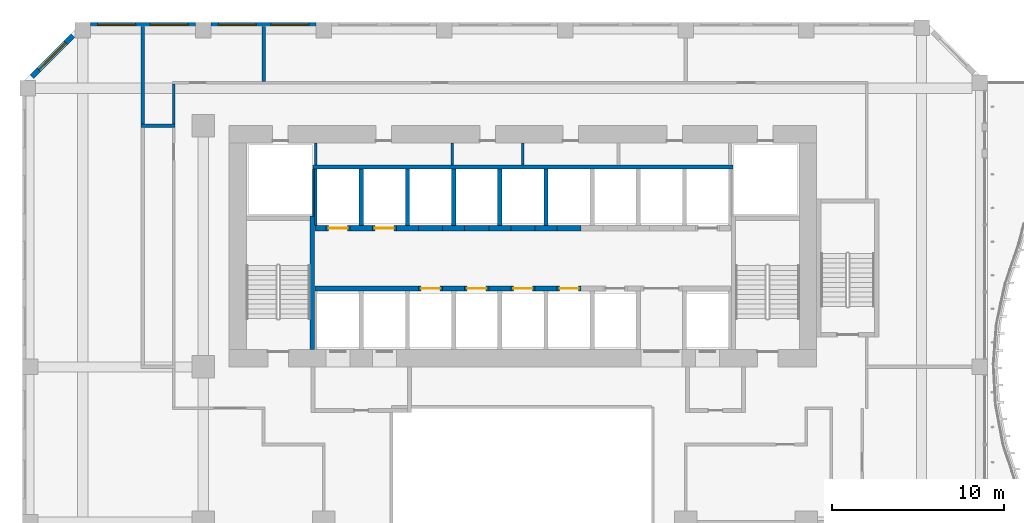
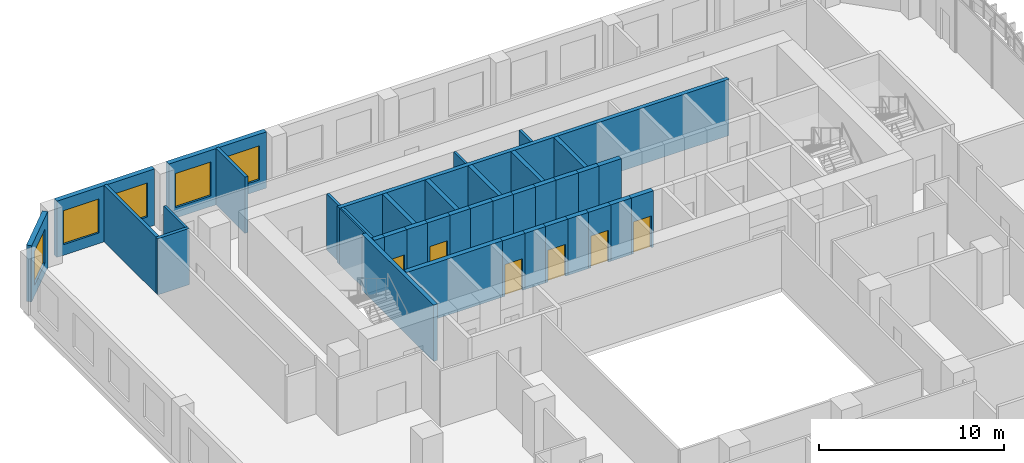
# One storey, part 15 of 26: 39 walls, 6 doors, 5 windows, 11 openings.
"""IFC4 building model written with IfcOpenShell, lengths in metres."""

from ifc_helpers import new_model, si_unit, direction, frame, frame_2d, origin, place, context, subcontext, project, spatial, rectangle, extrude, source, transform, mapped, material, layer, layer_set, type_object, element, fill, save


model = new_model("IFC4")

# Units and contexts
model_context = context("Model", 3, precision=1e-05, world=origin(), true_north=direction((0.0, 1.0)))
body_context = subcontext(model_context, "Body", "Model", "MODEL_VIEW")
ifc_project = project(units=[si_unit("LENGTHUNIT", "METRE"), si_unit("AREAUNIT", "SQUARE_METRE"), si_unit("VOLUMEUNIT", "CUBIC_METRE"), si_unit("PLANEANGLEUNIT", "RADIAN"), si_unit("MASSUNIT", "GRAM", prefix="KILO")], contexts=[model_context])

# Site, building, storey
site_placement = place(None, origin())
site = spatial("IfcSite", under=ifc_project, at=site_placement, CompositionType="ELEMENT")
building_placement = place(site_placement, origin())
building = spatial("IfcBuilding", under=site, at=building_placement, Name="Kilnfold Tower and Market Hall", CompositionType="ELEMENT")
storey_placement = place(building_placement, frame((0.0, 0.0, 31.0)))
storey = spatial("IfcBuildingStorey", under=building, at=storey_placement, Name="L06", CompositionType="ELEMENT", Elevation=31.0)

# Walls
ifc_material_1 = material(Name="Gypsum board on steel studs", Category="steel")
ifc_layer_1 = layer(ifc_material_1, 0.14990234375)
ifc_layer_set_1 = layer_set([ifc_layer_1], Name="Gypsum board on steel studs")
wall_type_1 = type_object("IfcWallType", Name="WALL CORRIDOR 150", PredefinedType="PARTITIONING", material=ifc_layer_set_1)
wall_1_placement = place(storey_placement, frame((-19.199951171875, 22.090087890625, 0.0), z_axis=(0.0, 0.0, 1.0), x_axis=(0.0, 1.0, 0.0)))
element("IfcWall", 1, at=wall_1_placement, inside=storey, type_object=wall_type_1, Name="Partition LY06.32", PredefinedType="PARTITIONING", context=body_context, shape_type="SweptSolid", body=[
    extrude(rectangle(XDim=2.3349609375, YDim=0.14990234375, at=frame_2d((1.16748046875, 0.0))), origin(), (0.0, 0.0, 1.0), 3.719970703125),
])
ifc_material_2 = material(Name="Gypsum board on steel studs", Category="steel")
ifc_layer_2 = layer(ifc_material_2, 0.199951171875)
ifc_layer_set_2 = layer_set([ifc_layer_2], Name="Gypsum board on steel studs")
wall_type_2 = type_object("IfcWallType", Name="WALL PARTY 200", PredefinedType="PARTITIONING", material=ifc_layer_set_2)
wall_2_placement = place(storey_placement, frame((-21.0, 22.090087890625, 0.0), z_axis=(0.0, 0.0, 1.0), x_axis=(0.0, 1.0, 0.0)))
element("IfcWall", 2, at=wall_2_placement, inside=storey, type_object=wall_type_2, Name="Partition LY06.38", PredefinedType="PARTITIONING", context=body_context, shape_type="SweptSolid", body=[
    extrude(rectangle(XDim=5.659912109375, YDim=0.199951171875, at=frame_2d((2.830078125, 0.0))), origin(), (0.0, 0.0, 1.0), 3.719970703125),
])
wall_3_placement = place(storey_placement, frame((-14.0, 24.575927734375, 0.0), z_axis=(0.0, 0.0, 1.0), x_axis=(0.0, 1.0, 0.0)))
element("IfcWall", 3, at=wall_3_placement, inside=storey, type_object=wall_type_2, Name="Partition LY06.58", PredefinedType="PARTITIONING", context=body_context, shape_type="SweptSolid", body=[
    extrude(rectangle(XDim=3.174072265625, YDim=0.199951171875, at=frame_2d((1.5869140625, 0.0))), origin(), (0.0, 0.0, 1.0), 3.719970703125),
])
wall_4_placement = place(storey_placement, frame((-21.10009765625, 22.0, 0.0), z_axis=(0.0, 0.0, 1.0), x_axis=(1.0, 0.0, 0.0)))
element("IfcWall", 4, at=wall_4_placement, inside=storey, type_object=wall_type_2, Name="Partition LY06.59", PredefinedType="PARTITIONING", context=body_context, shape_type="SweptSolid", body=[
    extrude(rectangle(XDim=1.97412109375, YDim=0.199951171875, at=frame_2d((0.987060546875, 0.0))), origin(), (0.0, 0.0, 1.0), 3.719970703125),
])
ifc_material_3 = material(Name="Concrete C80", Category="concrete")
ifc_layer_3 = layer(ifc_material_3, 0.25)
ifc_layer_set_3 = layer_set([ifc_layer_3], Name="Concrete C80")
wall_type_3 = type_object("IfcWallType", Name="CORE WALL 250 C80", PredefinedType="SHEAR", material=ifc_layer_set_3)
shared_shape_1 = source(origin(), body_context, "Body", "SweptSolid", [
    extrude(rectangle(XDim=7.75, YDim=0.25, at=frame_2d((3.875, 0.0))), origin(), (0.0, 0.0, 1.0), 3.719970703125),
])
wall_5_placement = place(storey_placement, frame((-11.175048828125, 9.0, 0.0), z_axis=(0.0, 0.0, 1.0), x_axis=(0.0, 1.0, 0.0)))
element("IfcWall", 5, at=wall_5_placement, inside=storey, type_object=wall_type_3, Name="Stair enclosure ST1", PredefinedType="SHEAR", context=body_context, shape_type="MappedRepresentation", body=[
    mapped(shared_shape_1, transform((0.0, 0.0, 0.0))),
])
ifc_material_4 = material(Name="Concrete C80", Category="concrete")
ifc_layer_4 = layer(ifc_material_4, 0.300048828125)
ifc_layer_set_4 = layer_set([ifc_layer_4], Name="Concrete C80")
wall_type_4 = type_object("IfcWallType", Name="CORE WALL 300 C80", PredefinedType="SHEAR", material=ifc_layer_set_4)
shared_shape_2 = source(origin(), body_context, "Body", "SweptSolid", [
    extrude(rectangle(XDim=6.0, YDim=0.300048828125, at=frame_2d((3.0, 0.0))), origin(), (0.0, 0.0, 1.0), 3.719970703125),
])
wall_6_placement = place(storey_placement, frame((-11.010009765625, 12.550048828125, 0.0), z_axis=(0.0, 0.0, 1.0), x_axis=(1.0, 0.0, 0.0)))
element("IfcWall", 6, at=wall_6_placement, inside=storey, type_object=wall_type_4, Name="Core spine wall", PredefinedType="SHEAR", context=body_context, shape_type="MappedRepresentation", body=[
    mapped(shared_shape_2, transform((0.0, 0.0, 0.0))),
])
shared_shape_3 = source(origin(), body_context, "Body", "SweptSolid", [
    extrude(rectangle(XDim=1.280029296875, YDim=0.300048828125, at=frame_2d((0.64013671875, 0.0))), origin(), (0.0, 0.0, 1.0), 3.719970703125),
])
for number, where, z_axis, x_axis, name in (
    (7, (-3.610107421875, 12.550048828125, 0.0), (0.0, 0.0, 1.0), (1.0, 0.0, 0.0), "Core spine wall"),
    (8, (-0.929931640625, 12.550048828125, 0.0), (0.0, 0.0, 1.0), (1.0, 0.0, 0.0), "Core spine wall"),
    (9, (1.75, 12.550048828125, 0.0), (0.0, 0.0, 1.0), (1.0, 0.0, 0.0), "Core spine wall"),
    (10, (-8.969970703125, 16.050048828125, 0.0), (0.0, 0.0, 1.0), (1.0, 0.0, 0.0), "Core spine wall"),
    (11, (-6.2900390625, 16.050048828125, 0.0), (0.0, 0.0, 1.0), (1.0, 0.0, 0.0), "Core spine wall"),
    (12, (-3.610107421875, 16.050048828125, 0.0), (0.0, 0.0, 1.0), (1.0, 0.0, 0.0), "Core spine wall"),
    (13, (-0.929931640625, 16.050048828125, 0.0), (0.0, 0.0, 1.0), (1.0, 0.0, 0.0), "Core spine wall"),
    (14, (1.75, 16.050048828125, 0.0), (0.0, 0.0, 1.0), (1.0, 0.0, 0.0), "Core spine wall"),
):
    element("IfcWall", number, at=place(storey_placement, frame(where, z_axis=z_axis, x_axis=x_axis)), inside=storey, type_object=wall_type_4, Name=name, PredefinedType="SHEAR", context=body_context, shape_type="MappedRepresentation", body=[
        mapped(shared_shape_3, transform((0.0, 0.0, 0.0))),
    ])
shared_shape_4 = source(origin(), body_context, "Body", "SweptSolid", [
    extrude(rectangle(XDim=0.639892578125, YDim=0.300048828125, at=frame_2d((0.31982421875, 0.0))), origin(), (0.0, 0.0, 1.0), 3.719970703125),
])
wall_7_placement = place(storey_placement, frame((-11.010009765625, 16.050048828125, 0.0), z_axis=(0.0, 0.0, 1.0), x_axis=(1.0, 0.0, 0.0)))
element("IfcWall", 15, at=wall_7_placement, inside=storey, type_object=wall_type_4, Name="Core spine wall", PredefinedType="SHEAR", context=body_context, shape_type="MappedRepresentation", body=[
    mapped(shared_shape_4, transform((0.0, 0.0, 0.0))),
])

# Wall, opening, window
ifc_material_5 = material(Name="Precast concrete C50/60", Category="concrete")
ifc_layer_5 = layer(ifc_material_5, 0.300048828125)
ifc_layer_set_5 = layer_set([ifc_layer_5], Name="Precast concrete C50/60")
wall_type_5 = type_object("IfcWallType", Name="PRECAST WALL 300", PredefinedType="SOLIDWALL", material=ifc_layer_set_5)
shared_shape_5 = source(origin(), body_context, "Body", "SweptSolid", [
    extrude(rectangle(XDim=3.35888671875, YDim=0.300048828125, at=frame_2d((1.679443359375, 0.0))), origin(), (0.0, 0.0, 1.0), 3.719970703125),
])
wall_8_placement = place(storey_placement, frame((-25.06884765625, 27.218994140625, 0.0), z_axis=(0.0, 0.0, 1.0), x_axis=(-0.707143122278, -0.707070438228, 0.0)))
wall_8 = element("IfcWall", 16, at=wall_8_placement, inside=storey, type_object=wall_type_5, Name="External wall L06 NW", PredefinedType="SOLIDWALL", context=body_context, shape_type="MappedRepresentation", body=[
    mapped(shared_shape_5, transform((0.0, 0.0, 0.0))),
])
opening_1_placement = place(wall_8_placement, frame((0.579345703125, 0.0, 0.699951171875)))
opening_1 = element("IfcOpeningElement", 17, at=opening_1_placement, cuts=wall_8, Name="Opening W1", PredefinedType="OPENING", context=body_context, shape_type="SweptSolid", body=[
    extrude(rectangle(XDim=2.199951171875, YDim=2.25, at=frame_2d((1.10009765625, 1.125))), frame((0.0, 0.16015625, 0.0), z_axis=(0.0, -1.0, 0.0), x_axis=(1.0, 0.0, 0.0)), (0.0, 0.0, 1.0), 0.320068359375),
])
ifc_material_6 = material(Name="Aluminium frame and double glazing", Category="aluminium")
window_type = type_object("IfcWindowType", Name="WINDOW W1 2200X2250", PartitioningType="SINGLE_PANEL", PredefinedType="WINDOW", material=ifc_material_6)
window_1_placement = place(opening_1_placement, origin())
window_1 = element("IfcWindow", 18, at=window_1_placement, inside=storey, type_object=window_type, Name="Window W1 L06 NW-1", OverallHeight=2.25, OverallWidth=2.199951171875, PartitioningType="SINGLE_PANEL", PredefinedType="WINDOW", context=body_context, shape_type="SweptSolid", body=[
    extrude(rectangle(XDim=2.199951171875, YDim=2.25, at=frame_2d((1.10009765625, 1.125))), frame((0.0, 0.030029296875, 0.0), z_axis=(0.0, -1.0, 0.0), x_axis=(1.0, 0.0, 0.0)), (0.0, 0.0, 1.0), 0.06005859375),
])
fill(opening_1, window_1)

# Wall, openings, windows
shared_shape_6 = source(origin(), body_context, "Body", "SweptSolid", [
    extrude(rectangle(XDim=6.10009765625, YDim=0.300048828125, at=frame_2d((3.050048828125, 0.0))), origin(), (0.0, 0.0, 1.0), 3.719970703125),
])
wall_9_placement = place(storey_placement, frame((-10.949951171875, 27.85009765625, 0.0), z_axis=(0.0, 0.0, 1.0), x_axis=(-1.0, 0.0, 0.0)))
wall_9 = element("IfcWall", 19, at=wall_9_placement, inside=storey, type_object=wall_type_5, Name="External wall L06 N", PredefinedType="SOLIDWALL", context=body_context, shape_type="MappedRepresentation", body=[
    mapped(shared_shape_6, transform((0.0, 0.0, 0.0))),
])
opening_2_placement = place(wall_9_placement, frame((0.425048828125, 0.0, 0.699951171875)))
opening_2 = element("IfcOpeningElement", 20, at=opening_2_placement, cuts=wall_9, Name="Opening W1", PredefinedType="OPENING", context=body_context, shape_type="SweptSolid", body=[
    extrude(rectangle(XDim=2.199951171875, YDim=2.25, at=frame_2d((1.10009765625, 1.125))), frame((0.0, 0.16015625, 0.0), z_axis=(0.0, -1.0, 0.0), x_axis=(1.0, 0.0, 0.0)), (0.0, 0.0, 1.0), 0.320068359375),
])
opening_3_placement = place(wall_9_placement, frame((3.47509765625, 0.0, 0.699951171875)))
opening_3 = element("IfcOpeningElement", 21, at=opening_3_placement, cuts=wall_9, Name="Opening W1", PredefinedType="OPENING", context=body_context, shape_type="SweptSolid", body=[
    extrude(rectangle(XDim=2.199951171875, YDim=2.25, at=frame_2d((1.10009765625, 1.125))), frame((0.0, 0.16015625, 0.0), z_axis=(0.0, -1.0, 0.0), x_axis=(1.0, 0.0, 0.0)), (0.0, 0.0, 1.0), 0.320068359375),
])
window_2_placement = place(opening_2_placement, origin())
window_2 = element("IfcWindow", 22, at=window_2_placement, inside=storey, type_object=window_type, Name="Window W1 L06 N-1", OverallHeight=2.25, OverallWidth=2.199951171875, PartitioningType="SINGLE_PANEL", PredefinedType="WINDOW", context=body_context, shape_type="SweptSolid", body=[
    extrude(rectangle(XDim=2.199951171875, YDim=2.25, at=frame_2d((1.10009765625, 1.125))), frame((0.0, 0.030029296875, 0.0), z_axis=(0.0, -1.0, 0.0), x_axis=(1.0, 0.0, 0.0)), (0.0, 0.0, 1.0), 0.06005859375),
])
fill(opening_2, window_2)
window_3_placement = place(opening_3_placement, origin())
window_3 = element("IfcWindow", 23, at=window_3_placement, inside=storey, type_object=window_type, Name="Window W1 L06 N-2", OverallHeight=2.25, OverallWidth=2.199951171875, PartitioningType="SINGLE_PANEL", PredefinedType="WINDOW", context=body_context, shape_type="SweptSolid", body=[
    extrude(rectangle(XDim=2.199951171875, YDim=2.25, at=frame_2d((1.10009765625, 1.125))), frame((0.0, 0.030029296875, 0.0), z_axis=(0.0, -1.0, 0.0), x_axis=(1.0, 0.0, 0.0)), (0.0, 0.0, 1.0), 0.06005859375),
])
fill(opening_3, window_3)

wall_10_placement = place(storey_placement, frame((-17.949951171875, 27.85009765625, 0.0), z_axis=(0.0, 0.0, 1.0), x_axis=(-1.0, 0.0, 0.0)))
wall_10 = element("IfcWall", 24, at=wall_10_placement, inside=storey, type_object=wall_type_5, Name="External wall L06 N", PredefinedType="SOLIDWALL", context=body_context, shape_type="MappedRepresentation", body=[
    mapped(shared_shape_6, transform((0.0, 0.0, 0.0))),
])
opening_4_placement = place(wall_10_placement, frame((0.425048828125, 0.0, 0.699951171875)))
opening_4 = element("IfcOpeningElement", 25, at=opening_4_placement, cuts=wall_10, Name="Opening W1", PredefinedType="OPENING", context=body_context, shape_type="SweptSolid", body=[
    extrude(rectangle(XDim=2.199951171875, YDim=2.25, at=frame_2d((1.10009765625, 1.125))), frame((0.0, 0.16015625, 0.0), z_axis=(0.0, -1.0, 0.0), x_axis=(1.0, 0.0, 0.0)), (0.0, 0.0, 1.0), 0.320068359375),
])
opening_5_placement = place(wall_10_placement, frame((3.47509765625, 0.0, 0.699951171875)))
opening_5 = element("IfcOpeningElement", 26, at=opening_5_placement, cuts=wall_10, Name="Opening W1", PredefinedType="OPENING", context=body_context, shape_type="SweptSolid", body=[
    extrude(rectangle(XDim=2.199951171875, YDim=2.25, at=frame_2d((1.10009765625, 1.125))), frame((0.0, 0.16015625, 0.0), z_axis=(0.0, -1.0, 0.0), x_axis=(1.0, 0.0, 0.0)), (0.0, 0.0, 1.0), 0.320068359375),
])
window_4_placement = place(opening_4_placement, origin())
window_4 = element("IfcWindow", 27, at=window_4_placement, inside=storey, type_object=window_type, Name="Window W1 L06 N-1", OverallHeight=2.25, OverallWidth=2.199951171875, PartitioningType="SINGLE_PANEL", PredefinedType="WINDOW", context=body_context, shape_type="SweptSolid", body=[
    extrude(rectangle(XDim=2.199951171875, YDim=2.25, at=frame_2d((1.10009765625, 1.125))), frame((0.0, 0.030029296875, 0.0), z_axis=(0.0, -1.0, 0.0), x_axis=(1.0, 0.0, 0.0)), (0.0, 0.0, 1.0), 0.06005859375),
])
fill(opening_4, window_4)
window_5_placement = place(opening_5_placement, origin())
window_5 = element("IfcWindow", 28, at=window_5_placement, inside=storey, type_object=window_type, Name="Window W1 L06 N-2", OverallHeight=2.25, OverallWidth=2.199951171875, PartitioningType="SINGLE_PANEL", PredefinedType="WINDOW", context=body_context, shape_type="SweptSolid", body=[
    extrude(rectangle(XDim=2.199951171875, YDim=2.25, at=frame_2d((1.10009765625, 1.125))), frame((0.0, 0.030029296875, 0.0), z_axis=(0.0, -1.0, 0.0), x_axis=(1.0, 0.0, 0.0)), (0.0, 0.0, 1.0), 0.06005859375),
])
fill(opening_5, window_5)

# Wall, opening, door
ifc_material_7 = material(Name="Gypsum shaft wall system")
ifc_layer_6 = layer(ifc_material_7, 0.300048828125)
ifc_layer_set_6 = layer_set([ifc_layer_6], Name="Gypsum shaft wall system")
wall_type_6 = type_object("IfcWallType", Name="SHAFT WALL 300", PredefinedType="PARTITIONING", material=ifc_layer_set_6)
shared_shape_7 = source(origin(), body_context, "Body", "SweptSolid", [
    extrude(rectangle(XDim=1.39990234375, YDim=0.300048828125, at=frame_2d((0.699951171875, 0.0))), origin(), (0.0, 0.0, 1.0), 3.719970703125),
])
wall_11_placement = place(storey_placement, frame((-5.010009765625, 12.550048828125, 0.0), z_axis=(0.0, 0.0, 1.0), x_axis=(1.0, 0.0, 0.0)))
wall_11 = element("IfcWall", 29, at=wall_11_placement, inside=storey, type_object=wall_type_6, Name="Lift shaft front wall", PredefinedType="PARTITIONING", context=body_context, shape_type="MappedRepresentation", body=[
    mapped(shared_shape_7, transform((0.0, 0.0, 0.0))),
])
opening_6_placement = place(wall_11_placement, frame((0.14990234375, 0.0, 0.0)))
opening_6 = element("IfcOpeningElement", 30, at=opening_6_placement, cuts=wall_11, Name="Opening LD2", PredefinedType="OPENING", context=body_context, shape_type="SweptSolid", body=[
    extrude(rectangle(XDim=1.10009765625, YDim=2.10009765625, at=frame_2d((0.550048828125, 1.050048828125))), frame((0.0, 0.16015625, 0.0), z_axis=(0.0, -1.0, 0.0), x_axis=(1.0, 0.0, 0.0)), (0.0, 0.0, 1.0), 0.320068359375),
])
ifc_material_8 = material(Name="Steel door set with fire-resisting leaf", Category="steel")
door_type = type_object("IfcDoorType", Name="LANDING DOOR 1100X2100", OperationType="NOTDEFINED", PredefinedType="DOOR", material=ifc_material_8)
door_1_placement = place(opening_6_placement, origin())
door_1 = element("IfcDoor", 31, at=door_1_placement, inside=storey, type_object=door_type, Name="Landing door LR1", OperationType="DOUBLE_DOOR_SLIDING", OverallHeight=2.10009765625, OverallWidth=1.10009765625, PredefinedType="DOOR", context=body_context, shape_type="SweptSolid", body=[
    extrude(rectangle(XDim=1.10009765625, YDim=2.10009765625, at=frame_2d((0.550048828125, 1.050048828125))), frame((0.0, 0.02490234375, 0.0), z_axis=(0.0, -1.0, 0.0), x_axis=(1.0, 0.0, 0.0)), (0.0, 0.0, 1.0), 0.050048828125),
])
fill(opening_6, door_1)

wall_12_placement = place(storey_placement, frame((0.35009765625, 12.550048828125, 0.0), z_axis=(0.0, 0.0, 1.0), x_axis=(1.0, 0.0, 0.0)))
wall_12 = element("IfcWall", 32, at=wall_12_placement, inside=storey, type_object=wall_type_6, Name="Lift shaft front wall", PredefinedType="PARTITIONING", context=body_context, shape_type="MappedRepresentation", body=[
    mapped(shared_shape_7, transform((0.0, 0.0, 0.0))),
])
opening_7_placement = place(wall_12_placement, frame((0.14990234375, 0.0, 0.0)))
opening_7 = element("IfcOpeningElement", 33, at=opening_7_placement, cuts=wall_12, Name="Opening LD2", PredefinedType="OPENING", context=body_context, shape_type="SweptSolid", body=[
    extrude(rectangle(XDim=1.10009765625, YDim=2.10009765625, at=frame_2d((0.550048828125, 1.050048828125))), frame((0.0, 0.16015625, 0.0), z_axis=(0.0, -1.0, 0.0), x_axis=(1.0, 0.0, 0.0)), (0.0, 0.0, 1.0), 0.320068359375),
])
door_2_placement = place(opening_7_placement, origin())
door_2 = element("IfcDoor", 34, at=door_2_placement, inside=storey, type_object=door_type, Name="Landing door LR3", OperationType="DOUBLE_DOOR_SLIDING", OverallHeight=2.10009765625, OverallWidth=1.10009765625, PredefinedType="DOOR", context=body_context, shape_type="SweptSolid", body=[
    extrude(rectangle(XDim=1.10009765625, YDim=2.10009765625, at=frame_2d((0.550048828125, 1.050048828125))), frame((0.0, 0.02490234375, 0.0), z_axis=(0.0, -1.0, 0.0), x_axis=(1.0, 0.0, 0.0)), (0.0, 0.0, 1.0), 0.050048828125),
])
fill(opening_7, door_2)

wall_13_placement = place(storey_placement, frame((3.030029296875, 12.550048828125, 0.0), z_axis=(0.0, 0.0, 1.0), x_axis=(1.0, 0.0, 0.0)))
wall_13 = element("IfcWall", 35, at=wall_13_placement, inside=storey, type_object=wall_type_6, Name="Lift shaft front wall", PredefinedType="PARTITIONING", context=body_context, shape_type="MappedRepresentation", body=[
    mapped(shared_shape_7, transform((0.0, 0.0, 0.0))),
])
opening_8_placement = place(wall_13_placement, frame((0.14990234375, 0.0, 0.0)))
opening_8 = element("IfcOpeningElement", 36, at=opening_8_placement, cuts=wall_13, Name="Opening LD2", PredefinedType="OPENING", context=body_context, shape_type="SweptSolid", body=[
    extrude(rectangle(XDim=1.10009765625, YDim=2.10009765625, at=frame_2d((0.550048828125, 1.050048828125))), frame((0.0, 0.16015625, 0.0), z_axis=(0.0, -1.0, 0.0), x_axis=(1.0, 0.0, 0.0)), (0.0, 0.0, 1.0), 0.320068359375),
])
door_3_placement = place(opening_8_placement, origin())
door_3 = element("IfcDoor", 37, at=door_3_placement, inside=storey, type_object=door_type, Name="Landing door LR4", OperationType="DOUBLE_DOOR_SLIDING", OverallHeight=2.10009765625, OverallWidth=1.10009765625, PredefinedType="DOOR", context=body_context, shape_type="SweptSolid", body=[
    extrude(rectangle(XDim=1.10009765625, YDim=2.10009765625, at=frame_2d((0.550048828125, 1.050048828125))), frame((0.0, 0.02490234375, 0.0), z_axis=(0.0, -1.0, 0.0), x_axis=(1.0, 0.0, 0.0)), (0.0, 0.0, 1.0), 0.050048828125),
])
fill(opening_8, door_3)

wall_14_placement = place(storey_placement, frame((-7.68994140625, 16.050048828125, 0.0), z_axis=(0.0, 0.0, 1.0), x_axis=(1.0, 0.0, 0.0)))
wall_14 = element("IfcWall", 38, at=wall_14_placement, inside=storey, type_object=wall_type_6, Name="Lift shaft front wall", PredefinedType="PARTITIONING", context=body_context, shape_type="MappedRepresentation", body=[
    mapped(shared_shape_7, transform((0.0, 0.0, 0.0))),
])
opening_9_placement = place(wall_14_placement, frame((0.14990234375, 0.0, 0.0)))
opening_9 = element("IfcOpeningElement", 39, at=opening_9_placement, cuts=wall_14, Name="Opening LD2", PredefinedType="OPENING", context=body_context, shape_type="SweptSolid", body=[
    extrude(rectangle(XDim=1.10009765625, YDim=2.10009765625, at=frame_2d((0.550048828125, 1.050048828125))), frame((0.0, 0.16015625, 0.0), z_axis=(0.0, -1.0, 0.0), x_axis=(1.0, 0.0, 0.0)), (0.0, 0.0, 1.0), 0.320068359375),
])
door_4_placement = place(opening_9_placement, origin())
door_4 = element("IfcDoor", 40, at=door_4_placement, inside=storey, type_object=door_type, Name="Landing door LR8", OperationType="DOUBLE_DOOR_SLIDING", OverallHeight=2.10009765625, OverallWidth=1.10009765625, PredefinedType="DOOR", context=body_context, shape_type="SweptSolid", body=[
    extrude(rectangle(XDim=1.10009765625, YDim=2.10009765625, at=frame_2d((0.550048828125, 1.050048828125))), frame((0.0, 0.02490234375, 0.0), z_axis=(0.0, -1.0, 0.0), x_axis=(1.0, 0.0, 0.0)), (0.0, 0.0, 1.0), 0.050048828125),
])
fill(opening_9, door_4)

# Walls
for number, where, z_axis, x_axis, name in (
    (41, (-5.010009765625, 16.050048828125, 0.0), (0.0, 0.0, 1.0), (1.0, 0.0, 0.0), "Lift shaft front wall"),
    (42, (0.35009765625, 16.050048828125, 0.0), (0.0, 0.0, 1.0), (1.0, 0.0, 0.0), "Lift shaft front wall"),
    (43, (3.030029296875, 16.050048828125, 0.0), (0.0, 0.0, 1.0), (1.0, 0.0, 0.0), "Lift shaft front wall"),
):
    element("IfcWall", number, at=place(storey_placement, frame(where, z_axis=z_axis, x_axis=x_axis)), inside=storey, type_object=wall_type_6, Name=name, PredefinedType="PARTITIONING", context=body_context, shape_type="MappedRepresentation", body=[
        mapped(shared_shape_7, transform((0.0, 0.0, 0.0))),
    ])

# Wall, opening, door
shared_shape_8 = source(origin(), body_context, "Body", "SweptSolid", [
    extrude(rectangle(XDim=1.400146484375, YDim=0.300048828125, at=frame_2d((0.7001953125, 0.0))), origin(), (0.0, 0.0, 1.0), 3.719970703125),
])
wall_15_placement = place(storey_placement, frame((-2.330078125, 12.550048828125, 0.0), z_axis=(0.0, 0.0, 1.0), x_axis=(1.0, 0.0, 0.0)))
wall_15 = element("IfcWall", 44, at=wall_15_placement, inside=storey, type_object=wall_type_6, Name="Lift shaft front wall", PredefinedType="PARTITIONING", context=body_context, shape_type="MappedRepresentation", body=[
    mapped(shared_shape_8, transform((0.0, 0.0, 0.0))),
])
opening_10_placement = place(wall_15_placement, frame((0.14990234375, 0.0, 0.0)))
opening_10 = element("IfcOpeningElement", 45, at=opening_10_placement, cuts=wall_15, Name="Opening LD2", PredefinedType="OPENING", context=body_context, shape_type="SweptSolid", body=[
    extrude(rectangle(XDim=1.10009765625, YDim=2.10009765625, at=frame_2d((0.550048828125, 1.050048828125))), frame((0.0, 0.16015625, 0.0), z_axis=(0.0, -1.0, 0.0), x_axis=(1.0, 0.0, 0.0)), (0.0, 0.0, 1.0), 0.320068359375),
])
door_5_placement = place(opening_10_placement, origin())
door_5 = element("IfcDoor", 46, at=door_5_placement, inside=storey, type_object=door_type, Name="Landing door LR2", OperationType="DOUBLE_DOOR_SLIDING", OverallHeight=2.10009765625, OverallWidth=1.10009765625, PredefinedType="DOOR", context=body_context, shape_type="SweptSolid", body=[
    extrude(rectangle(XDim=1.10009765625, YDim=2.10009765625, at=frame_2d((0.550048828125, 1.050048828125))), frame((0.0, 0.02490234375, 0.0), z_axis=(0.0, -1.0, 0.0), x_axis=(1.0, 0.0, 0.0)), (0.0, 0.0, 1.0), 0.050048828125),
])
fill(opening_10, door_5)

wall_16_placement = place(storey_placement, frame((-10.3701171875, 16.050048828125, 0.0), z_axis=(0.0, 0.0, 1.0), x_axis=(1.0, 0.0, 0.0)))
wall_16 = element("IfcWall", 47, at=wall_16_placement, inside=storey, type_object=wall_type_6, Name="Lift shaft front wall", PredefinedType="PARTITIONING", context=body_context, shape_type="MappedRepresentation", body=[
    mapped(shared_shape_8, transform((0.0, 0.0, 0.0))),
])
opening_11_placement = place(wall_16_placement, frame((0.14990234375, 0.0, 0.0)))
opening_11 = element("IfcOpeningElement", 48, at=opening_11_placement, cuts=wall_16, Name="Opening LD2", PredefinedType="OPENING", context=body_context, shape_type="SweptSolid", body=[
    extrude(rectangle(XDim=1.10009765625, YDim=2.10009765625, at=frame_2d((0.550048828125, 1.050048828125))), frame((0.0, 0.16015625, 0.0), z_axis=(0.0, -1.0, 0.0), x_axis=(1.0, 0.0, 0.0)), (0.0, 0.0, 1.0), 0.320068359375),
])
door_6_placement = place(opening_11_placement, origin())
door_6 = element("IfcDoor", 49, at=door_6_placement, inside=storey, type_object=door_type, Name="Landing door LR7", OperationType="DOUBLE_DOOR_SLIDING", OverallHeight=2.10009765625, OverallWidth=1.10009765625, PredefinedType="DOOR", context=body_context, shape_type="SweptSolid", body=[
    extrude(rectangle(XDim=1.10009765625, YDim=2.10009765625, at=frame_2d((0.550048828125, 1.050048828125))), frame((0.0, 0.02490234375, 0.0), z_axis=(0.0, -1.0, 0.0), x_axis=(1.0, 0.0, 0.0)), (0.0, 0.0, 1.0), 0.050048828125),
])
fill(opening_11, door_6)

# Walls
wall_17_placement = place(storey_placement, frame((-2.330078125, 16.050048828125, 0.0), z_axis=(0.0, 0.0, 1.0), x_axis=(1.0, 0.0, 0.0)))
element("IfcWall", 50, at=wall_17_placement, inside=storey, type_object=wall_type_6, Name="Lift shaft front wall", PredefinedType="PARTITIONING", context=body_context, shape_type="MappedRepresentation", body=[
    mapped(shared_shape_8, transform((0.0, 0.0, 0.0))),
])
ifc_material_9 = material(Name="Gypsum shaft wall system")
ifc_layer_7 = layer(ifc_material_9, 0.25)
ifc_layer_set_7 = layer_set([ifc_layer_7], Name="Gypsum shaft wall system")
wall_type_7 = type_object("IfcWallType", Name="SHAFT WALL 250", PredefinedType="PARTITIONING", material=ifc_layer_set_7)
shared_shape_9 = source(origin(), body_context, "Body", "SweptSolid", [
    extrude(rectangle(XDim=24.3701171875, YDim=0.25, at=frame_2d((12.18505859375, 0.0))), origin(), (0.0, 0.0, 1.0), 3.719970703125),
])
wall_18_placement = place(storey_placement, frame((-11.135009765625, 19.60009765625, 0.0), z_axis=(0.0, 0.0, 1.0), x_axis=(1.0, 0.0, 0.0)))
element("IfcWall", 51, at=wall_18_placement, inside=storey, type_object=wall_type_7, Name="Lift shaft wall", PredefinedType="PARTITIONING", context=body_context, shape_type="MappedRepresentation", body=[
    mapped(shared_shape_9, transform((0.0, 0.0, 0.0))),
])
ifc_material_10 = material(Name="Gypsum shaft wall system")
ifc_layer_8 = layer(ifc_material_10, 0.1650390625)
ifc_layer_set_8 = layer_set([ifc_layer_8], Name="Gypsum shaft wall system")
wall_type_8 = type_object("IfcWallType", Name="SHAFT WALL 165", PredefinedType="PARTITIONING", material=ifc_layer_set_8)
shared_shape_10 = source(origin(), body_context, "Body", "SweptSolid", [
    extrude(rectangle(XDim=3.275146484375, YDim=0.1650390625, at=frame_2d((1.6376953125, 0.0))), origin(), (0.0, 0.0, 1.0), 3.719970703125),
])
wall_19_placement = place(storey_placement, frame((-10.967529296875, 16.199951171875, 0.0), z_axis=(0.0, 0.0, 1.0), x_axis=(0.0, 1.0, 0.0)))
element("IfcWall", 52, at=wall_19_placement, inside=storey, type_object=wall_type_8, Name="Lift shaft wall", PredefinedType="PARTITIONING", context=body_context, shape_type="MappedRepresentation", body=[
    mapped(shared_shape_10, transform((0.0, 0.0, 0.0))),
])
shared_shape_11 = source(origin(), body_context, "Body", "SweptSolid", [
    extrude(rectangle(XDim=1.27490234375, YDim=0.1650390625, at=frame_2d((0.637451171875, 0.0))), origin(), (0.0, 0.0, 1.0), 3.719970703125),
])
wall_20_placement = place(storey_placement, frame((-10.967529296875, 19.72509765625, 0.0), z_axis=(0.0, 0.0, 1.0), x_axis=(0.0, 1.0, 0.0)))
element("IfcWall", 53, at=wall_20_placement, inside=storey, type_object=wall_type_8, Name="Lift shaft wall", PredefinedType="PARTITIONING", context=body_context, shape_type="MappedRepresentation", body=[
    mapped(shared_shape_11, transform((0.0, 0.0, 0.0))),
])
shared_shape_12 = source(origin(), body_context, "Body", "SweptSolid", [
    extrude(rectangle(XDim=3.275146484375, YDim=0.25, at=frame_2d((1.6376953125, 0.0))), origin(), (0.0, 0.0, 1.0), 3.719970703125),
])
for number, where, z_axis, x_axis, name in (
    (54, (2.389892578125, 16.199951171875, 0.0), (0.0, 0.0, 1.0), (0.0, 1.0, 0.0), "Lift shaft wall"),
    (55, (-0.2900390625, 16.199951171875, 0.0), (0.0, 0.0, 1.0), (0.0, 1.0, 0.0), "Lift shaft wall"),
    (56, (-2.969970703125, 16.199951171875, 0.0), (0.0, 0.0, 1.0), (0.0, 1.0, 0.0), "Lift shaft wall"),
    (57, (-5.64990234375, 16.199951171875, 0.0), (0.0, 0.0, 1.0), (0.0, 1.0, 0.0), "Lift shaft wall"),
    (58, (-8.330078125, 16.199951171875, 0.0), (0.0, 0.0, 1.0), (0.0, 1.0, 0.0), "Lift shaft wall"),
):
    element("IfcWall", number, at=place(storey_placement, frame(where, z_axis=z_axis, x_axis=x_axis)), inside=storey, type_object=wall_type_7, Name=name, PredefinedType="PARTITIONING", context=body_context, shape_type="MappedRepresentation", body=[
        mapped(shared_shape_12, transform((0.0, 0.0, 0.0))),
    ])
ifc_material_11 = material(Name="Gypsum shaft wall system")
ifc_layer_9 = layer(ifc_material_11, 0.0849609375)
ifc_layer_set_9 = layer_set([ifc_layer_9], Name="Gypsum shaft wall system")
wall_type_9 = type_object("IfcWallType", Name="SHAFT WALL 85", PredefinedType="PARTITIONING", material=ifc_layer_set_9)
shared_shape_13 = source(origin(), body_context, "Body", "SweptSolid", [
    extrude(rectangle(XDim=2.72509765625, YDim=0.0849609375, at=frame_2d((1.362548828125, 0.0))), origin(), (0.0, 0.0, 1.0), 3.719970703125),
])
wall_21_placement = place(storey_placement, frame((-11.092529296875, 16.75, 0.0), z_axis=(0.0, 0.0, 1.0), x_axis=(0.0, 1.0, 0.0)))
element("IfcWall", 59, at=wall_21_placement, inside=storey, type_object=wall_type_9, Name="Lift shaft wall", PredefinedType="PARTITIONING", context=body_context, shape_type="MappedRepresentation", body=[
    mapped(shared_shape_13, transform((0.0, 0.0, 0.0))),
])
ifc_material_12 = material(Name="Gypsum shaft wall system")
ifc_layer_10 = layer(ifc_material_12, 0.14990234375)
ifc_layer_set_10 = layer_set([ifc_layer_10], Name="Gypsum shaft wall system")
wall_type_10 = type_object("IfcWallType", Name="ROOM WALL 150", PredefinedType="PARTITIONING", material=ifc_layer_set_10)
shared_shape_14 = source(origin(), body_context, "Body", "SweptSolid", [
    extrude(rectangle(XDim=1.27490234375, YDim=0.14990234375, at=frame_2d((0.637451171875, 0.0))), origin(), (0.0, 0.0, 1.0), 3.719970703125),
])
for number, where, z_axis, x_axis, name in (
    (60, (-3.05029296875, 19.72509765625, 0.0), (0.0, 0.0, 1.0), (0.0, 1.0, 0.0), "Core room wall"),
    (61, (1.050048828125, 19.72509765625, 0.0), (0.0, 0.0, 1.0), (0.0, 1.0, 0.0), "Core room wall"),
):
    element("IfcWall", number, at=place(storey_placement, frame(where, z_axis=z_axis, x_axis=x_axis)), inside=storey, type_object=wall_type_10, Name=name, PredefinedType="PARTITIONING", context=body_context, shape_type="MappedRepresentation", body=[
        mapped(shared_shape_14, transform((0.0, 0.0, 0.0))),
    ])

save(model, "model.ifc")
